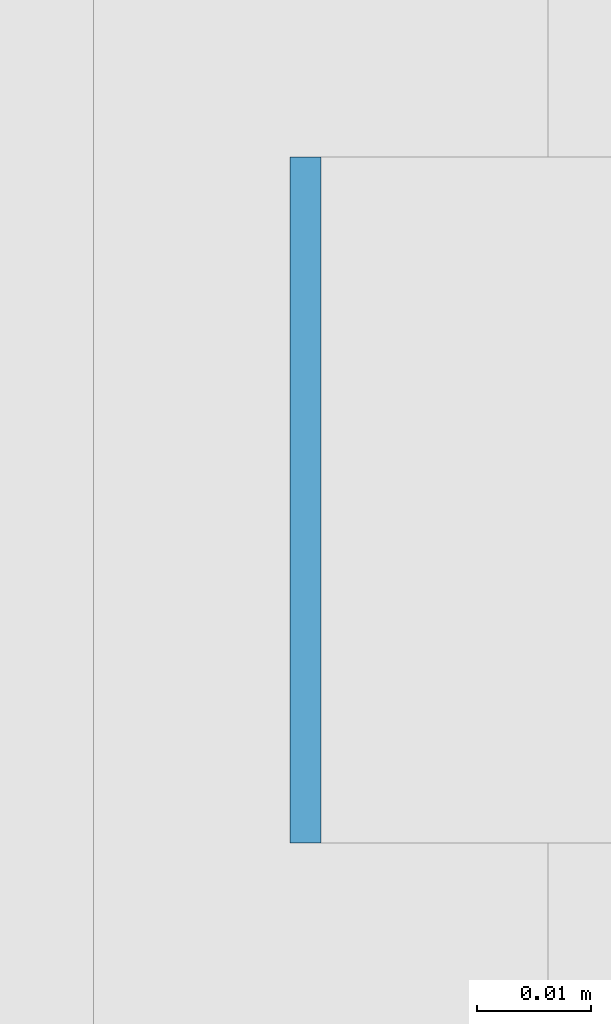
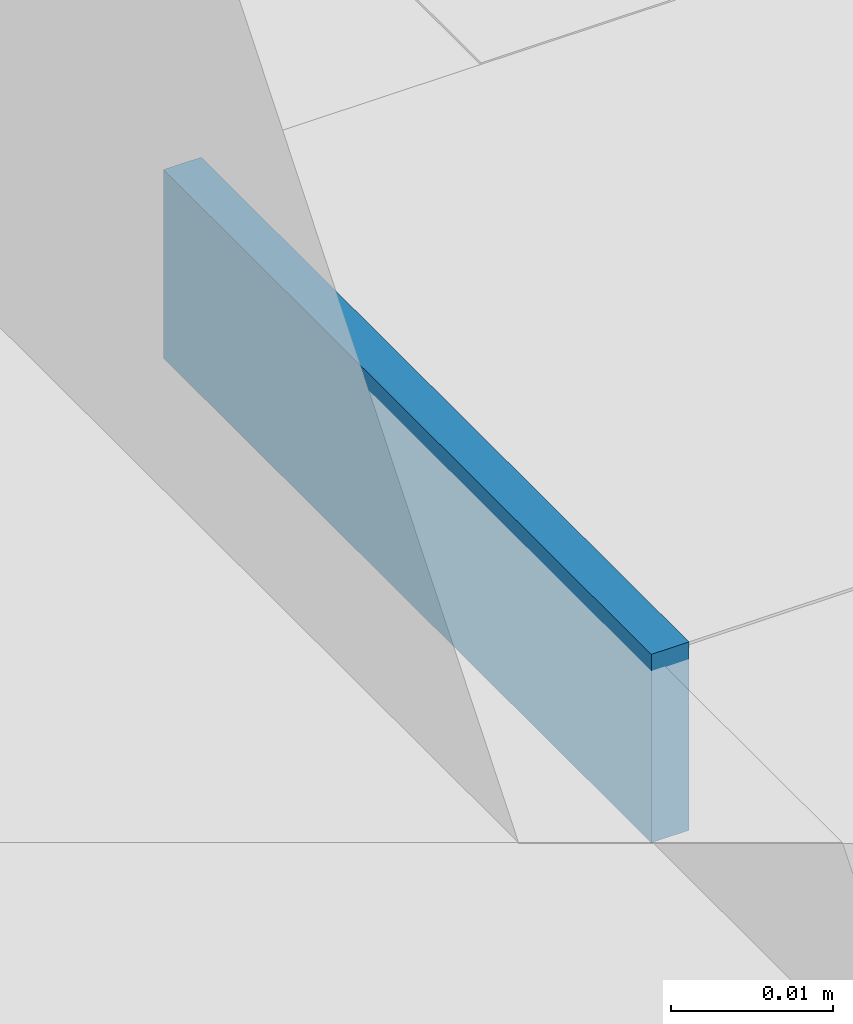
# One storey, part 581 of 646: 1 discrete accessory.
"""IFC4 building model written with IfcOpenShell, lengths in metres."""

from ifc_helpers import new_model, si_unit, direction, frame, origin, origin_2d, place, context, subcontext, project, spatial, rectangle, extrude, material, type_object, element, save


model = new_model("IFC4")

# Units and contexts
model_context = context("Model", 3, precision=1e-05, world=origin(), true_north=direction((0.0, 1.0)))
body_context = subcontext(model_context, "Body", "Model", "MODEL_VIEW")
ifc_project = project(units=[si_unit("LENGTHUNIT", "METRE"), si_unit("AREAUNIT", "SQUARE_METRE"), si_unit("VOLUMEUNIT", "CUBIC_METRE"), si_unit("PLANEANGLEUNIT", "RADIAN"), si_unit("MASSUNIT", "GRAM", prefix="KILO")], contexts=[model_context])

# Site, building, storey
site_placement = place(None, origin())
site = spatial("IfcSite", under=ifc_project, at=site_placement, CompositionType="ELEMENT")
building_placement = place(site_placement, origin())
building = spatial("IfcBuilding", under=site, at=building_placement, Name="Silverbay Arena", CompositionType="ELEMENT")
storey_placement = place(building_placement, frame((0.0, 0.0, 33.5)))
storey = spatial("IfcBuildingStorey", under=building, at=storey_placement, Name="L05", CompositionType="ELEMENT", Elevation=33.5)

# Discrete accessory
ifc_material = material(Name="Steel S355", Category="steel")
discrete_accessory_type = type_object("IfcDiscreteAccessoryType", Name="Steel bracket plate", PredefinedType="BRACKET", material=ifc_material)
discrete_accessory_placement = place(storey_placement, frame((207.128662109375, 113.142822265625, 12.98583984375), z_axis=(0.0, 0.0, 1.0), x_axis=(1.0, 0.0, 0.0)))
element("IfcDiscreteAccessory", 1, at=discrete_accessory_placement, inside=storey, type_object=discrete_accessory_type, Name="Curtain wall packing plate", PredefinedType="BRACKET", context=body_context, shape_type="SweptSolid", body=[
    extrude(rectangle(XDim=0.002685546875, YDim=0.06005859375, at=origin_2d()), origin(), (0.0, 0.0, 1.0), 0.01416015625),
])

save(model, "model.ifc")
